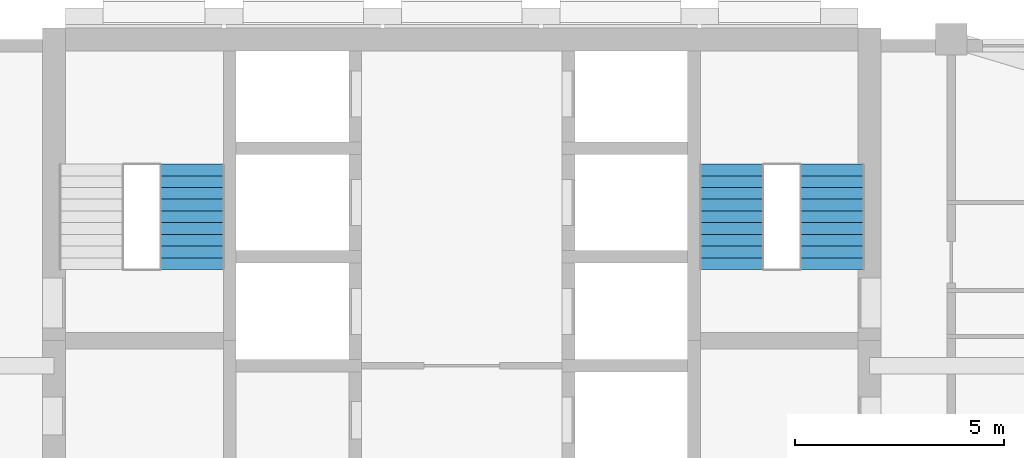
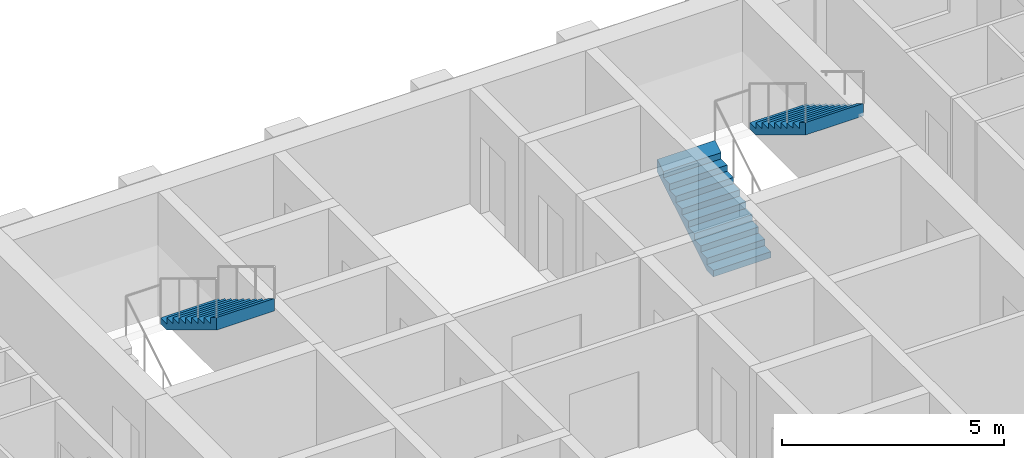
# One storey, part 11 of 13: 3 stair flights, 2 elements without a shape of their own.
"""IFC4 building model written with IfcOpenShell, lengths in metres."""

from ifc_helpers import new_model, si_unit, direction, frame, origin, place, context, subcontext, project, spatial, triangles, material, type_object, element, aggregate, save


model = new_model("IFC4")

# Units and contexts
model_context = context("Model", 3, precision=1e-05, world=origin(), true_north=direction((0.0, 1.0)))
body_context = subcontext(model_context, "Body", "Model", "MODEL_VIEW")
ifc_project = project(units=[si_unit("LENGTHUNIT", "METRE"), si_unit("AREAUNIT", "SQUARE_METRE"), si_unit("VOLUMEUNIT", "CUBIC_METRE"), si_unit("PLANEANGLEUNIT", "RADIAN"), si_unit("MASSUNIT", "GRAM", prefix="KILO")], contexts=[model_context])

# Site, building, storey
site_placement = place(None, origin())
site = spatial("IfcSite", under=ifc_project, at=site_placement, CompositionType="ELEMENT")
building_placement = place(site_placement, origin())
building = spatial("IfcBuilding", under=site, at=building_placement, Name="Ludao Terraces", CompositionType="ELEMENT")
storey_placement = place(building_placement, frame((0.0, 0.0, 158.800048828125)))
storey = spatial("IfcBuildingStorey", under=building, at=storey_placement, Name="L43", CompositionType="ELEMENT", Elevation=158.800048828125)

# Stair, stair flight
ifc_material = material(Name="Concrete C40", Category="concrete")
stair_type = type_object("IfcStairType", Name="INT Stair", PredefinedType="HALF_TURN_STAIR", material=ifc_material)
stair_1_placement = place(storey_placement, origin())
stair_1 = element("IfcStair", 1, at=stair_1_placement, inside=storey, type_object=stair_type, Name="EXIT STAIR 1", PredefinedType="HALF_TURN_STAIR")
stair_flight_type = type_object("IfcStairFlightType", Name="INT Stair flight", PredefinedType="STRAIGHT", material=ifc_material)
stair_flight_1_placement = place(storey_placement, frame((78.550048828125, 81.52001953125, 1.699951171875), z_axis=(0.0, 0.0, 1.0), x_axis=(0.0, -1.0, 0.0)))
stair_flight_1 = element("IfcStairFlight", 2, at=stair_flight_1_placement, type_object=stair_flight_type, Name="ST1 flight 2", NumberOfRisers=10, NumberOfTreads=9, PredefinedType="STRAIGHT", RiserHeight=0.17, TreadLength=0.28, context=body_context, shape_type="Tessellation", body=[
    triangles([(0.0, -0.75, 0.0), (0.0, -0.5, 0.0), (0.0, -0.25, 0.0), (0.0, 0.0, 0.0), (0.0, 0.25, 0.0), (0.0, 0.5, 0.0), (0.0, 0.75, 0.0), (0.0, -0.75, 0.169921875), (0.0, -0.5, 0.169921875), (0.0, -0.25, 0.169921875), (0.0, 0.0, 0.169921875), (0.0, 0.25, 0.169921875), (0.0, 0.5, 0.169921875), (0.0, 0.75, 0.169921875), (0.280029296875, -0.75, 0.169921875), (0.280029296875, -0.5, 0.169921875), (0.280029296875, -0.25, 0.169921875), (0.280029296875, 0.0, 0.169921875), (0.280029296875, 0.25, 0.169921875), (0.280029296875, 0.5, 0.169921875), (0.280029296875, 0.75, 0.169921875), (0.280029296875, -0.75, 0.340087890625), (0.280029296875, -0.5, 0.340087890625), (0.280029296875, -0.25, 0.340087890625), (0.280029296875, 0.0, 0.340087890625), (0.280029296875, 0.25, 0.340087890625), (0.280029296875, 0.5, 0.340087890625), (0.280029296875, 0.75, 0.340087890625), (0.56005859375, -0.75, 0.340087890625), (0.56005859375, -0.5, 0.340087890625), (0.56005859375, -0.25, 0.340087890625), (0.56005859375, 0.0, 0.340087890625), (0.56005859375, 0.25, 0.340087890625), (0.56005859375, 0.5, 0.340087890625), (0.56005859375, 0.75, 0.340087890625), (0.56005859375, -0.75, 0.510009765625), (0.56005859375, -0.5, 0.510009765625), (0.56005859375, -0.25, 0.510009765625), (0.56005859375, 0.0, 0.510009765625), (0.56005859375, 0.25, 0.510009765625), (0.56005859375, 0.5, 0.510009765625), (0.56005859375, 0.75, 0.510009765625), (0.840087890625, -0.75, 0.510009765625), (0.840087890625, -0.5, 0.510009765625), (0.840087890625, -0.25, 0.510009765625), (0.840087890625, 0.0, 0.510009765625), (0.840087890625, 0.25, 0.510009765625), (0.840087890625, 0.5, 0.510009765625), (0.840087890625, 0.75, 0.510009765625), (0.840087890625, -0.75, 0.679931640625), (0.840087890625, -0.5, 0.679931640625), (0.840087890625, -0.25, 0.679931640625), (0.840087890625, 0.0, 0.679931640625), (0.840087890625, 0.25, 0.679931640625), (0.840087890625, 0.5, 0.679931640625), (0.840087890625, 0.75, 0.679931640625), (1.1201171875, -0.75, 0.679931640625), (1.1201171875, -0.5, 0.679931640625), (1.1201171875, -0.25, 0.679931640625), (1.1201171875, 0.0, 0.679931640625), (1.1201171875, 0.25, 0.679931640625), (1.1201171875, 0.5, 0.679931640625), (1.1201171875, 0.75, 0.679931640625), (1.1201171875, -0.75, 0.85009765625), (1.1201171875, -0.5, 0.85009765625), (1.1201171875, -0.25, 0.85009765625), (1.1201171875, 0.0, 0.85009765625), (1.1201171875, 0.25, 0.85009765625), (1.1201171875, 0.5, 0.85009765625), (1.1201171875, 0.75, 0.85009765625), (1.39990234375, -0.75, 0.85009765625), (1.39990234375, -0.5, 0.85009765625), (1.39990234375, -0.25, 0.85009765625), (1.39990234375, 0.0, 0.85009765625), (1.39990234375, 0.25, 0.85009765625), (1.39990234375, 0.5, 0.85009765625), (1.39990234375, 0.75, 0.85009765625), (1.39990234375, -0.75, 1.02001953125), (1.39990234375, -0.5, 1.02001953125), (1.39990234375, -0.25, 1.02001953125), (1.39990234375, 0.0, 1.02001953125), (1.39990234375, 0.25, 1.02001953125), (1.39990234375, 0.5, 1.02001953125), (1.39990234375, 0.75, 1.02001953125), (1.679931640625, -0.75, 1.02001953125), (1.679931640625, -0.5, 1.02001953125), (1.679931640625, -0.25, 1.02001953125), (1.679931640625, 0.0, 1.02001953125), (1.679931640625, 0.25, 1.02001953125), (1.679931640625, 0.5, 1.02001953125), (1.679931640625, 0.75, 1.02001953125), (1.679931640625, -0.75, 1.18994140625), (1.679931640625, -0.5, 1.18994140625), (1.679931640625, -0.25, 1.18994140625), (1.679931640625, 0.0, 1.18994140625), (1.679931640625, 0.25, 1.18994140625), (1.679931640625, 0.5, 1.18994140625), (1.679931640625, 0.75, 1.18994140625), (1.9599609375, -0.75, 1.18994140625), (1.9599609375, -0.5, 1.18994140625), (1.9599609375, -0.25, 1.18994140625), (1.9599609375, 0.0, 1.18994140625), (1.9599609375, 0.25, 1.18994140625), (1.9599609375, 0.5, 1.18994140625), (1.9599609375, 0.75, 1.18994140625), (1.9599609375, -0.75, 1.360107421875), (1.9599609375, -0.5, 1.360107421875), (1.9599609375, -0.25, 1.360107421875), (1.9599609375, 0.0, 1.360107421875), (1.9599609375, 0.25, 1.360107421875), (1.9599609375, 0.5, 1.360107421875), (1.9599609375, 0.75, 1.360107421875), (2.239990234375, -0.75, 1.360107421875), (2.239990234375, -0.5, 1.360107421875), (2.239990234375, -0.25, 1.360107421875), (2.239990234375, 0.0, 1.360107421875), (2.239990234375, 0.25, 1.360107421875), (2.239990234375, 0.5, 1.360107421875), (2.239990234375, 0.75, 1.360107421875), (2.239990234375, -0.75, 1.530029296875), (2.239990234375, -0.5, 1.530029296875), (2.239990234375, -0.25, 1.530029296875), (2.239990234375, 0.0, 1.530029296875), (2.239990234375, 0.25, 1.530029296875), (2.239990234375, 0.5, 1.530029296875), (2.239990234375, 0.75, 1.530029296875), (2.52001953125, -0.75, 1.699951171875), (2.52001953125, -0.5, 1.699951171875), (2.52001953125, -0.25, 1.699951171875), (2.52001953125, 0.0, 1.699951171875), (2.52001953125, 0.25, 1.699951171875), (2.52001953125, 0.5, 1.699951171875), (2.52001953125, 0.75, 1.699951171875), (2.52001953125, -0.75, 1.354736328125), (2.52001953125, -0.5, 1.354736328125), (2.52001953125, -0.25, 1.354736328125), (2.52001953125, 0.0, 1.354736328125), (2.52001953125, 0.25, 1.354736328125), (2.52001953125, 0.5, 1.354736328125), (2.52001953125, 0.75, 1.354736328125), (0.288818359375, -0.75, 0.0), (0.288818359375, -0.5, 0.0), (0.288818359375, -0.25, 0.0), (0.288818359375, 0.0, 0.0), (0.288818359375, 0.25, 0.0), (0.288818359375, 0.5, 0.0), (0.288818359375, 0.75, 0.0)], [[1, 141, 134], [7, 140, 147], [134, 127, 120], [140, 126, 133], [134, 120, 113], [140, 119, 126], [134, 113, 106], [140, 112, 119], [134, 106, 99], [140, 105, 112], [99, 92, 85], [105, 91, 98], [134, 99, 85], [140, 91, 105], [85, 78, 71], [91, 77, 84], [134, 85, 71], [140, 77, 91], [71, 64, 57], [77, 63, 70], [134, 71, 57], [140, 63, 77], [57, 50, 43], [63, 49, 56], [134, 57, 43], [140, 49, 63], [43, 36, 29], [49, 35, 42], [134, 43, 29], [140, 35, 49], [29, 22, 15], [35, 21, 28], [134, 29, 15], [140, 21, 35], [1, 134, 15], [7, 21, 140], [15, 8, 1], [21, 7, 14], [1, 9, 2], [1, 8, 9], [2, 10, 3], [2, 9, 10], [3, 11, 4], [3, 10, 11], [4, 12, 5], [4, 11, 12], [5, 13, 6], [5, 12, 13], [6, 14, 7], [6, 13, 14], [8, 16, 9], [8, 15, 16], [9, 17, 10], [9, 16, 17], [10, 18, 11], [10, 17, 18], [11, 19, 12], [11, 18, 19], [12, 20, 13], [12, 19, 20], [13, 21, 14], [13, 20, 21], [15, 23, 16], [15, 22, 23], [16, 24, 17], [16, 23, 24], [17, 25, 18], [17, 24, 25], [18, 26, 19], [18, 25, 26], [19, 27, 20], [19, 26, 27], [20, 28, 21], [20, 27, 28], [22, 30, 23], [22, 29, 30], [23, 31, 24], [23, 30, 31], [24, 32, 25], [24, 31, 32], [25, 33, 26], [25, 32, 33], [26, 34, 27], [26, 33, 34], [27, 35, 28], [27, 34, 35], [29, 37, 30], [29, 36, 37], [30, 38, 31], [30, 37, 38], [31, 39, 32], [31, 38, 39], [32, 40, 33], [32, 39, 40], [33, 41, 34], [33, 40, 41], [34, 42, 35], [34, 41, 42], [36, 44, 37], [36, 43, 44], [37, 45, 38], [37, 44, 45], [38, 46, 39], [38, 45, 46], [39, 47, 40], [39, 46, 47], [40, 48, 41], [40, 47, 48], [41, 49, 42], [41, 48, 49], [43, 51, 44], [43, 50, 51], [44, 52, 45], [44, 51, 52], [45, 53, 46], [45, 52, 53], [46, 54, 47], [46, 53, 54], [47, 55, 48], [47, 54, 55], [48, 56, 49], [48, 55, 56], [50, 58, 51], [50, 57, 58], [51, 59, 52], [51, 58, 59], [52, 60, 53], [52, 59, 60], [53, 61, 54], [53, 60, 61], [54, 62, 55], [54, 61, 62], [55, 63, 56], [55, 62, 63], [57, 65, 58], [57, 64, 65], [58, 66, 59], [58, 65, 66], [59, 67, 60], [59, 66, 67], [60, 68, 61], [60, 67, 68], [61, 69, 62], [61, 68, 69], [62, 70, 63], [62, 69, 70], [64, 72, 65], [64, 71, 72], [65, 73, 66], [65, 72, 73], [66, 74, 67], [66, 73, 74], [67, 75, 68], [67, 74, 75], [68, 76, 69], [68, 75, 76], [69, 77, 70], [69, 76, 77], [71, 79, 72], [71, 78, 79], [72, 80, 73], [72, 79, 80], [73, 81, 74], [73, 80, 81], [74, 82, 75], [74, 81, 82], [75, 83, 76], [75, 82, 83], [76, 84, 77], [76, 83, 84], [78, 86, 79], [78, 85, 86], [79, 87, 80], [79, 86, 87], [80, 88, 81], [80, 87, 88], [81, 89, 82], [81, 88, 89], [82, 90, 83], [82, 89, 90], [83, 91, 84], [83, 90, 91], [85, 93, 86], [85, 92, 93], [86, 94, 87], [86, 93, 94], [87, 95, 88], [87, 94, 95], [88, 96, 89], [88, 95, 96], [89, 97, 90], [89, 96, 97], [90, 98, 91], [90, 97, 98], [92, 100, 93], [92, 99, 100], [93, 101, 94], [93, 100, 101], [94, 102, 95], [94, 101, 102], [95, 103, 96], [95, 102, 103], [96, 104, 97], [96, 103, 104], [97, 105, 98], [97, 104, 105], [99, 107, 100], [99, 106, 107], [100, 108, 101], [100, 107, 108], [101, 109, 102], [101, 108, 109], [102, 110, 103], [102, 109, 110], [103, 111, 104], [103, 110, 111], [104, 112, 105], [104, 111, 112], [106, 114, 107], [106, 113, 114], [107, 115, 108], [107, 114, 115], [108, 116, 109], [108, 115, 116], [109, 117, 110], [109, 116, 117], [110, 118, 111], [110, 117, 118], [111, 119, 112], [111, 118, 119], [113, 121, 114], [113, 120, 121], [114, 122, 115], [114, 121, 122], [115, 123, 116], [115, 122, 123], [116, 124, 117], [116, 123, 124], [117, 125, 118], [117, 124, 125], [118, 126, 119], [118, 125, 126], [120, 128, 121], [120, 127, 128], [121, 129, 122], [121, 128, 129], [122, 130, 123], [122, 129, 130], [123, 131, 124], [123, 130, 131], [124, 132, 125], [124, 131, 132], [125, 133, 126], [125, 132, 133], [127, 135, 128], [127, 134, 135], [128, 136, 129], [128, 135, 136], [129, 137, 130], [129, 136, 137], [130, 138, 131], [130, 137, 138], [131, 139, 132], [131, 138, 139], [132, 140, 133], [132, 139, 140], [134, 142, 135], [134, 141, 142], [135, 143, 136], [135, 142, 143], [136, 144, 137], [136, 143, 144], [137, 145, 138], [137, 144, 145], [138, 146, 139], [138, 145, 146], [139, 147, 140], [139, 146, 147], [141, 2, 142], [141, 1, 2], [142, 3, 143], [142, 2, 3], [143, 4, 144], [143, 3, 4], [144, 5, 145], [144, 4, 5], [145, 6, 146], [145, 5, 6], [146, 7, 147], [146, 6, 7]], closed=True),
])
aggregate(stair_1, [stair_flight_1])

# Stair, stair flights
stair_2_placement = place(storey_placement, origin())
stair_2 = element("IfcStair", 3, at=stair_2_placement, inside=storey, type_object=stair_type, Name="EXIT STAIR 2", PredefinedType="HALF_TURN_STAIR")
stair_flight_2_placement = place(storey_placement, frame((91.449951171875, 79.0, 0.0), z_axis=(0.0, 0.0, 1.0), x_axis=(0.0, 1.0, 0.0)))
stair_flight_2 = element("IfcStairFlight", 4, at=stair_flight_2_placement, type_object=stair_flight_type, Name="ST2 flight 1", NumberOfRisers=10, NumberOfTreads=9, PredefinedType="STRAIGHT", RiserHeight=0.17, TreadLength=0.28, context=body_context, shape_type="Tessellation", body=[
    triangles([(0.0, -0.75, 0.0), (0.0, -0.5, 0.0), (0.0, -0.25, 0.0), (0.0, 0.0, 0.0), (0.0, 0.25, 0.0), (0.0, 0.5, 0.0), (0.0, 0.75, 0.0), (0.0, -0.75, 0.169921875), (0.0, -0.5, 0.169921875), (0.0, -0.25, 0.169921875), (0.0, 0.0, 0.169921875), (0.0, 0.25, 0.169921875), (0.0, 0.5, 0.169921875), (0.0, 0.75, 0.169921875), (0.280029296875, -0.75, 0.169921875), (0.280029296875, -0.5, 0.169921875), (0.280029296875, -0.25, 0.169921875), (0.280029296875, 0.0, 0.169921875), (0.280029296875, 0.25, 0.169921875), (0.280029296875, 0.5, 0.169921875), (0.280029296875, 0.75, 0.169921875), (0.280029296875, -0.75, 0.340087890625), (0.280029296875, -0.5, 0.340087890625), (0.280029296875, -0.25, 0.340087890625), (0.280029296875, 0.0, 0.340087890625), (0.280029296875, 0.25, 0.340087890625), (0.280029296875, 0.5, 0.340087890625), (0.280029296875, 0.75, 0.340087890625), (0.56005859375, -0.75, 0.340087890625), (0.56005859375, -0.5, 0.340087890625), (0.56005859375, -0.25, 0.340087890625), (0.56005859375, 0.0, 0.340087890625), (0.56005859375, 0.25, 0.340087890625), (0.56005859375, 0.5, 0.340087890625), (0.56005859375, 0.75, 0.340087890625), (0.56005859375, -0.75, 0.510009765625), (0.56005859375, -0.5, 0.510009765625), (0.56005859375, -0.25, 0.510009765625), (0.56005859375, 0.0, 0.510009765625), (0.56005859375, 0.25, 0.510009765625), (0.56005859375, 0.5, 0.510009765625), (0.56005859375, 0.75, 0.510009765625), (0.840087890625, -0.75, 0.510009765625), (0.840087890625, -0.5, 0.510009765625), (0.840087890625, -0.25, 0.510009765625), (0.840087890625, 0.0, 0.510009765625), (0.840087890625, 0.25, 0.510009765625), (0.840087890625, 0.5, 0.510009765625), (0.840087890625, 0.75, 0.510009765625), (0.840087890625, -0.75, 0.679931640625), (0.840087890625, -0.5, 0.679931640625), (0.840087890625, -0.25, 0.679931640625), (0.840087890625, 0.0, 0.679931640625), (0.840087890625, 0.25, 0.679931640625), (0.840087890625, 0.5, 0.679931640625), (0.840087890625, 0.75, 0.679931640625), (1.1201171875, -0.75, 0.679931640625), (1.1201171875, -0.5, 0.679931640625), (1.1201171875, -0.25, 0.679931640625), (1.1201171875, 0.0, 0.679931640625), (1.1201171875, 0.25, 0.679931640625), (1.1201171875, 0.5, 0.679931640625), (1.1201171875, 0.75, 0.679931640625), (1.1201171875, -0.75, 0.85009765625), (1.1201171875, -0.5, 0.85009765625), (1.1201171875, -0.25, 0.85009765625), (1.1201171875, 0.0, 0.85009765625), (1.1201171875, 0.25, 0.85009765625), (1.1201171875, 0.5, 0.85009765625), (1.1201171875, 0.75, 0.85009765625), (1.39990234375, -0.75, 0.85009765625), (1.39990234375, -0.5, 0.85009765625), (1.39990234375, -0.25, 0.85009765625), (1.39990234375, 0.0, 0.85009765625), (1.39990234375, 0.25, 0.85009765625), (1.39990234375, 0.5, 0.85009765625), (1.39990234375, 0.75, 0.85009765625), (1.39990234375, -0.75, 1.02001953125), (1.39990234375, -0.5, 1.02001953125), (1.39990234375, -0.25, 1.02001953125), (1.39990234375, 0.0, 1.02001953125), (1.39990234375, 0.25, 1.02001953125), (1.39990234375, 0.5, 1.02001953125), (1.39990234375, 0.75, 1.02001953125), (1.679931640625, -0.75, 1.02001953125), (1.679931640625, -0.5, 1.02001953125), (1.679931640625, -0.25, 1.02001953125), (1.679931640625, 0.0, 1.02001953125), (1.679931640625, 0.25, 1.02001953125), (1.679931640625, 0.5, 1.02001953125), (1.679931640625, 0.75, 1.02001953125), (1.679931640625, -0.75, 1.18994140625), (1.679931640625, -0.5, 1.18994140625), (1.679931640625, -0.25, 1.18994140625), (1.679931640625, 0.0, 1.18994140625), (1.679931640625, 0.25, 1.18994140625), (1.679931640625, 0.5, 1.18994140625), (1.679931640625, 0.75, 1.18994140625), (1.9599609375, -0.75, 1.18994140625), (1.9599609375, -0.5, 1.18994140625), (1.9599609375, -0.25, 1.18994140625), (1.9599609375, 0.0, 1.18994140625), (1.9599609375, 0.25, 1.18994140625), (1.9599609375, 0.5, 1.18994140625), (1.9599609375, 0.75, 1.18994140625), (1.9599609375, -0.75, 1.360107421875), (1.9599609375, -0.5, 1.360107421875), (1.9599609375, -0.25, 1.360107421875), (1.9599609375, 0.0, 1.360107421875), (1.9599609375, 0.25, 1.360107421875), (1.9599609375, 0.5, 1.360107421875), (1.9599609375, 0.75, 1.360107421875), (2.239990234375, -0.75, 1.360107421875), (2.239990234375, -0.5, 1.360107421875), (2.239990234375, -0.25, 1.360107421875), (2.239990234375, 0.0, 1.360107421875), (2.239990234375, 0.25, 1.360107421875), (2.239990234375, 0.5, 1.360107421875), (2.239990234375, 0.75, 1.360107421875), (2.239990234375, -0.75, 1.530029296875), (2.239990234375, -0.5, 1.530029296875), (2.239990234375, -0.25, 1.530029296875), (2.239990234375, 0.0, 1.530029296875), (2.239990234375, 0.25, 1.530029296875), (2.239990234375, 0.5, 1.530029296875), (2.239990234375, 0.75, 1.530029296875), (2.52001953125, -0.75, 1.699951171875), (2.52001953125, -0.5, 1.699951171875), (2.52001953125, -0.25, 1.699951171875), (2.52001953125, 0.0, 1.699951171875), (2.52001953125, 0.25, 1.699951171875), (2.52001953125, 0.5, 1.699951171875), (2.52001953125, 0.75, 1.699951171875), (2.52001953125, -0.75, 1.354736328125), (2.52001953125, -0.5, 1.354736328125), (2.52001953125, -0.25, 1.354736328125), (2.52001953125, 0.0, 1.354736328125), (2.52001953125, 0.25, 1.354736328125), (2.52001953125, 0.5, 1.354736328125), (2.52001953125, 0.75, 1.354736328125), (0.288818359375, -0.75, 0.0), (0.288818359375, -0.5, 0.0), (0.288818359375, -0.25, 0.0), (0.288818359375, 0.0, 0.0), (0.288818359375, 0.25, 0.0), (0.288818359375, 0.5, 0.0), (0.288818359375, 0.75, 0.0)], [[1, 141, 134], [7, 140, 147], [134, 127, 120], [140, 126, 133], [134, 120, 113], [140, 119, 126], [134, 113, 106], [140, 112, 119], [134, 106, 99], [140, 105, 112], [99, 92, 85], [105, 91, 98], [134, 99, 85], [140, 91, 105], [85, 78, 71], [91, 77, 84], [134, 85, 71], [140, 77, 91], [71, 64, 57], [77, 63, 70], [134, 71, 57], [140, 63, 77], [57, 50, 43], [63, 49, 56], [134, 57, 43], [140, 49, 63], [43, 36, 29], [49, 35, 42], [134, 43, 29], [140, 35, 49], [29, 22, 15], [35, 21, 28], [134, 29, 15], [140, 21, 35], [1, 134, 15], [7, 21, 140], [15, 8, 1], [21, 7, 14], [1, 9, 2], [1, 8, 9], [2, 10, 3], [2, 9, 10], [3, 11, 4], [3, 10, 11], [4, 12, 5], [4, 11, 12], [5, 13, 6], [5, 12, 13], [6, 14, 7], [6, 13, 14], [8, 16, 9], [8, 15, 16], [9, 17, 10], [9, 16, 17], [10, 18, 11], [10, 17, 18], [11, 19, 12], [11, 18, 19], [12, 20, 13], [12, 19, 20], [13, 21, 14], [13, 20, 21], [15, 23, 16], [15, 22, 23], [16, 24, 17], [16, 23, 24], [17, 25, 18], [17, 24, 25], [18, 26, 19], [18, 25, 26], [19, 27, 20], [19, 26, 27], [20, 28, 21], [20, 27, 28], [22, 30, 23], [22, 29, 30], [23, 31, 24], [23, 30, 31], [24, 32, 25], [24, 31, 32], [25, 33, 26], [25, 32, 33], [26, 34, 27], [26, 33, 34], [27, 35, 28], [27, 34, 35], [29, 37, 30], [29, 36, 37], [30, 38, 31], [30, 37, 38], [31, 39, 32], [31, 38, 39], [32, 40, 33], [32, 39, 40], [33, 41, 34], [33, 40, 41], [34, 42, 35], [34, 41, 42], [36, 44, 37], [36, 43, 44], [37, 45, 38], [37, 44, 45], [38, 46, 39], [38, 45, 46], [39, 47, 40], [39, 46, 47], [40, 48, 41], [40, 47, 48], [41, 49, 42], [41, 48, 49], [43, 51, 44], [43, 50, 51], [44, 52, 45], [44, 51, 52], [45, 53, 46], [45, 52, 53], [46, 54, 47], [46, 53, 54], [47, 55, 48], [47, 54, 55], [48, 56, 49], [48, 55, 56], [50, 58, 51], [50, 57, 58], [51, 59, 52], [51, 58, 59], [52, 60, 53], [52, 59, 60], [53, 61, 54], [53, 60, 61], [54, 62, 55], [54, 61, 62], [55, 63, 56], [55, 62, 63], [57, 65, 58], [57, 64, 65], [58, 66, 59], [58, 65, 66], [59, 67, 60], [59, 66, 67], [60, 68, 61], [60, 67, 68], [61, 69, 62], [61, 68, 69], [62, 70, 63], [62, 69, 70], [64, 72, 65], [64, 71, 72], [65, 73, 66], [65, 72, 73], [66, 74, 67], [66, 73, 74], [67, 75, 68], [67, 74, 75], [68, 76, 69], [68, 75, 76], [69, 77, 70], [69, 76, 77], [71, 79, 72], [71, 78, 79], [72, 80, 73], [72, 79, 80], [73, 81, 74], [73, 80, 81], [74, 82, 75], [74, 81, 82], [75, 83, 76], [75, 82, 83], [76, 84, 77], [76, 83, 84], [78, 86, 79], [78, 85, 86], [79, 87, 80], [79, 86, 87], [80, 88, 81], [80, 87, 88], [81, 89, 82], [81, 88, 89], [82, 90, 83], [82, 89, 90], [83, 91, 84], [83, 90, 91], [85, 93, 86], [85, 92, 93], [86, 94, 87], [86, 93, 94], [87, 95, 88], [87, 94, 95], [88, 96, 89], [88, 95, 96], [89, 97, 90], [89, 96, 97], [90, 98, 91], [90, 97, 98], [92, 100, 93], [92, 99, 100], [93, 101, 94], [93, 100, 101], [94, 102, 95], [94, 101, 102], [95, 103, 96], [95, 102, 103], [96, 104, 97], [96, 103, 104], [97, 105, 98], [97, 104, 105], [99, 107, 100], [99, 106, 107], [100, 108, 101], [100, 107, 108], [101, 109, 102], [101, 108, 109], [102, 110, 103], [102, 109, 110], [103, 111, 104], [103, 110, 111], [104, 112, 105], [104, 111, 112], [106, 114, 107], [106, 113, 114], [107, 115, 108], [107, 114, 115], [108, 116, 109], [108, 115, 116], [109, 117, 110], [109, 116, 117], [110, 118, 111], [110, 117, 118], [111, 119, 112], [111, 118, 119], [113, 121, 114], [113, 120, 121], [114, 122, 115], [114, 121, 122], [115, 123, 116], [115, 122, 123], [116, 124, 117], [116, 123, 124], [117, 125, 118], [117, 124, 125], [118, 126, 119], [118, 125, 126], [120, 128, 121], [120, 127, 128], [121, 129, 122], [121, 128, 129], [122, 130, 123], [122, 129, 130], [123, 131, 124], [123, 130, 131], [124, 132, 125], [124, 131, 132], [125, 133, 126], [125, 132, 133], [127, 135, 128], [127, 134, 135], [128, 136, 129], [128, 135, 136], [129, 137, 130], [129, 136, 137], [130, 138, 131], [130, 137, 138], [131, 139, 132], [131, 138, 139], [132, 140, 133], [132, 139, 140], [134, 142, 135], [134, 141, 142], [135, 143, 136], [135, 142, 143], [136, 144, 137], [136, 143, 144], [137, 145, 138], [137, 144, 145], [138, 146, 139], [138, 145, 146], [139, 147, 140], [139, 146, 147], [141, 2, 142], [141, 1, 2], [142, 3, 143], [142, 2, 3], [143, 4, 144], [143, 3, 4], [144, 5, 145], [144, 4, 5], [145, 6, 146], [145, 5, 6], [146, 7, 147], [146, 6, 7]], closed=True),
])
stair_flight_3_placement = place(storey_placement, frame((93.85009765625, 81.52001953125, 1.699951171875), z_axis=(0.0, 0.0, 1.0), x_axis=(0.0, -1.0, 0.0)))
stair_flight_3 = element("IfcStairFlight", 5, at=stair_flight_3_placement, type_object=stair_flight_type, Name="ST2 flight 2", NumberOfRisers=10, NumberOfTreads=9, PredefinedType="STRAIGHT", RiserHeight=0.17, TreadLength=0.28, context=body_context, shape_type="Tessellation", body=[
    triangles([(0.0, -0.75, 0.0), (0.0, -0.5, 0.0), (0.0, -0.25, 0.0), (0.0, 0.0, 0.0), (0.0, 0.25, 0.0), (0.0, 0.5, 0.0), (0.0, 0.75, 0.0), (0.0, -0.75, 0.169921875), (0.0, -0.5, 0.169921875), (0.0, -0.25, 0.169921875), (0.0, 0.0, 0.169921875), (0.0, 0.25, 0.169921875), (0.0, 0.5, 0.169921875), (0.0, 0.75, 0.169921875), (0.280029296875, -0.75, 0.169921875), (0.280029296875, -0.5, 0.169921875), (0.280029296875, -0.25, 0.169921875), (0.280029296875, 0.0, 0.169921875), (0.280029296875, 0.25, 0.169921875), (0.280029296875, 0.5, 0.169921875), (0.280029296875, 0.75, 0.169921875), (0.280029296875, -0.75, 0.340087890625), (0.280029296875, -0.5, 0.340087890625), (0.280029296875, -0.25, 0.340087890625), (0.280029296875, 0.0, 0.340087890625), (0.280029296875, 0.25, 0.340087890625), (0.280029296875, 0.5, 0.340087890625), (0.280029296875, 0.75, 0.340087890625), (0.56005859375, -0.75, 0.340087890625), (0.56005859375, -0.5, 0.340087890625), (0.56005859375, -0.25, 0.340087890625), (0.56005859375, 0.0, 0.340087890625), (0.56005859375, 0.25, 0.340087890625), (0.56005859375, 0.5, 0.340087890625), (0.56005859375, 0.75, 0.340087890625), (0.56005859375, -0.75, 0.510009765625), (0.56005859375, -0.5, 0.510009765625), (0.56005859375, -0.25, 0.510009765625), (0.56005859375, 0.0, 0.510009765625), (0.56005859375, 0.25, 0.510009765625), (0.56005859375, 0.5, 0.510009765625), (0.56005859375, 0.75, 0.510009765625), (0.840087890625, -0.75, 0.510009765625), (0.840087890625, -0.5, 0.510009765625), (0.840087890625, -0.25, 0.510009765625), (0.840087890625, 0.0, 0.510009765625), (0.840087890625, 0.25, 0.510009765625), (0.840087890625, 0.5, 0.510009765625), (0.840087890625, 0.75, 0.510009765625), (0.840087890625, -0.75, 0.679931640625), (0.840087890625, -0.5, 0.679931640625), (0.840087890625, -0.25, 0.679931640625), (0.840087890625, 0.0, 0.679931640625), (0.840087890625, 0.25, 0.679931640625), (0.840087890625, 0.5, 0.679931640625), (0.840087890625, 0.75, 0.679931640625), (1.1201171875, -0.75, 0.679931640625), (1.1201171875, -0.5, 0.679931640625), (1.1201171875, -0.25, 0.679931640625), (1.1201171875, 0.0, 0.679931640625), (1.1201171875, 0.25, 0.679931640625), (1.1201171875, 0.5, 0.679931640625), (1.1201171875, 0.75, 0.679931640625), (1.1201171875, -0.75, 0.85009765625), (1.1201171875, -0.5, 0.85009765625), (1.1201171875, -0.25, 0.85009765625), (1.1201171875, 0.0, 0.85009765625), (1.1201171875, 0.25, 0.85009765625), (1.1201171875, 0.5, 0.85009765625), (1.1201171875, 0.75, 0.85009765625), (1.39990234375, -0.75, 0.85009765625), (1.39990234375, -0.5, 0.85009765625), (1.39990234375, -0.25, 0.85009765625), (1.39990234375, 0.0, 0.85009765625), (1.39990234375, 0.25, 0.85009765625), (1.39990234375, 0.5, 0.85009765625), (1.39990234375, 0.75, 0.85009765625), (1.39990234375, -0.75, 1.02001953125), (1.39990234375, -0.5, 1.02001953125), (1.39990234375, -0.25, 1.02001953125), (1.39990234375, 0.0, 1.02001953125), (1.39990234375, 0.25, 1.02001953125), (1.39990234375, 0.5, 1.02001953125), (1.39990234375, 0.75, 1.02001953125), (1.679931640625, -0.75, 1.02001953125), (1.679931640625, -0.5, 1.02001953125), (1.679931640625, -0.25, 1.02001953125), (1.679931640625, 0.0, 1.02001953125), (1.679931640625, 0.25, 1.02001953125), (1.679931640625, 0.5, 1.02001953125), (1.679931640625, 0.75, 1.02001953125), (1.679931640625, -0.75, 1.18994140625), (1.679931640625, -0.5, 1.18994140625), (1.679931640625, -0.25, 1.18994140625), (1.679931640625, 0.0, 1.18994140625), (1.679931640625, 0.25, 1.18994140625), (1.679931640625, 0.5, 1.18994140625), (1.679931640625, 0.75, 1.18994140625), (1.9599609375, -0.75, 1.18994140625), (1.9599609375, -0.5, 1.18994140625), (1.9599609375, -0.25, 1.18994140625), (1.9599609375, 0.0, 1.18994140625), (1.9599609375, 0.25, 1.18994140625), (1.9599609375, 0.5, 1.18994140625), (1.9599609375, 0.75, 1.18994140625), (1.9599609375, -0.75, 1.360107421875), (1.9599609375, -0.5, 1.360107421875), (1.9599609375, -0.25, 1.360107421875), (1.9599609375, 0.0, 1.360107421875), (1.9599609375, 0.25, 1.360107421875), (1.9599609375, 0.5, 1.360107421875), (1.9599609375, 0.75, 1.360107421875), (2.239990234375, -0.75, 1.360107421875), (2.239990234375, -0.5, 1.360107421875), (2.239990234375, -0.25, 1.360107421875), (2.239990234375, 0.0, 1.360107421875), (2.239990234375, 0.25, 1.360107421875), (2.239990234375, 0.5, 1.360107421875), (2.239990234375, 0.75, 1.360107421875), (2.239990234375, -0.75, 1.530029296875), (2.239990234375, -0.5, 1.530029296875), (2.239990234375, -0.25, 1.530029296875), (2.239990234375, 0.0, 1.530029296875), (2.239990234375, 0.25, 1.530029296875), (2.239990234375, 0.5, 1.530029296875), (2.239990234375, 0.75, 1.530029296875), (2.52001953125, -0.75, 1.699951171875), (2.52001953125, -0.5, 1.699951171875), (2.52001953125, -0.25, 1.699951171875), (2.52001953125, 0.0, 1.699951171875), (2.52001953125, 0.25, 1.699951171875), (2.52001953125, 0.5, 1.699951171875), (2.52001953125, 0.75, 1.699951171875), (2.52001953125, -0.75, 1.354736328125), (2.52001953125, -0.5, 1.354736328125), (2.52001953125, -0.25, 1.354736328125), (2.52001953125, 0.0, 1.354736328125), (2.52001953125, 0.25, 1.354736328125), (2.52001953125, 0.5, 1.354736328125), (2.52001953125, 0.75, 1.354736328125), (0.288818359375, -0.75, 0.0), (0.288818359375, -0.5, 0.0), (0.288818359375, -0.25, 0.0), (0.288818359375, 0.0, 0.0), (0.288818359375, 0.25, 0.0), (0.288818359375, 0.5, 0.0), (0.288818359375, 0.75, 0.0)], [[1, 141, 134], [7, 140, 147], [134, 127, 120], [140, 126, 133], [134, 120, 113], [140, 119, 126], [134, 113, 106], [140, 112, 119], [134, 106, 99], [140, 105, 112], [99, 92, 85], [105, 91, 98], [134, 99, 85], [140, 91, 105], [85, 78, 71], [91, 77, 84], [134, 85, 71], [140, 77, 91], [71, 64, 57], [77, 63, 70], [134, 71, 57], [140, 63, 77], [57, 50, 43], [63, 49, 56], [134, 57, 43], [140, 49, 63], [43, 36, 29], [49, 35, 42], [134, 43, 29], [140, 35, 49], [29, 22, 15], [35, 21, 28], [134, 29, 15], [140, 21, 35], [1, 134, 15], [7, 21, 140], [15, 8, 1], [21, 7, 14], [1, 9, 2], [1, 8, 9], [2, 10, 3], [2, 9, 10], [3, 11, 4], [3, 10, 11], [4, 12, 5], [4, 11, 12], [5, 13, 6], [5, 12, 13], [6, 14, 7], [6, 13, 14], [8, 16, 9], [8, 15, 16], [9, 17, 10], [9, 16, 17], [10, 18, 11], [10, 17, 18], [11, 19, 12], [11, 18, 19], [12, 20, 13], [12, 19, 20], [13, 21, 14], [13, 20, 21], [15, 23, 16], [15, 22, 23], [16, 24, 17], [16, 23, 24], [17, 25, 18], [17, 24, 25], [18, 26, 19], [18, 25, 26], [19, 27, 20], [19, 26, 27], [20, 28, 21], [20, 27, 28], [22, 30, 23], [22, 29, 30], [23, 31, 24], [23, 30, 31], [24, 32, 25], [24, 31, 32], [25, 33, 26], [25, 32, 33], [26, 34, 27], [26, 33, 34], [27, 35, 28], [27, 34, 35], [29, 37, 30], [29, 36, 37], [30, 38, 31], [30, 37, 38], [31, 39, 32], [31, 38, 39], [32, 40, 33], [32, 39, 40], [33, 41, 34], [33, 40, 41], [34, 42, 35], [34, 41, 42], [36, 44, 37], [36, 43, 44], [37, 45, 38], [37, 44, 45], [38, 46, 39], [38, 45, 46], [39, 47, 40], [39, 46, 47], [40, 48, 41], [40, 47, 48], [41, 49, 42], [41, 48, 49], [43, 51, 44], [43, 50, 51], [44, 52, 45], [44, 51, 52], [45, 53, 46], [45, 52, 53], [46, 54, 47], [46, 53, 54], [47, 55, 48], [47, 54, 55], [48, 56, 49], [48, 55, 56], [50, 58, 51], [50, 57, 58], [51, 59, 52], [51, 58, 59], [52, 60, 53], [52, 59, 60], [53, 61, 54], [53, 60, 61], [54, 62, 55], [54, 61, 62], [55, 63, 56], [55, 62, 63], [57, 65, 58], [57, 64, 65], [58, 66, 59], [58, 65, 66], [59, 67, 60], [59, 66, 67], [60, 68, 61], [60, 67, 68], [61, 69, 62], [61, 68, 69], [62, 70, 63], [62, 69, 70], [64, 72, 65], [64, 71, 72], [65, 73, 66], [65, 72, 73], [66, 74, 67], [66, 73, 74], [67, 75, 68], [67, 74, 75], [68, 76, 69], [68, 75, 76], [69, 77, 70], [69, 76, 77], [71, 79, 72], [71, 78, 79], [72, 80, 73], [72, 79, 80], [73, 81, 74], [73, 80, 81], [74, 82, 75], [74, 81, 82], [75, 83, 76], [75, 82, 83], [76, 84, 77], [76, 83, 84], [78, 86, 79], [78, 85, 86], [79, 87, 80], [79, 86, 87], [80, 88, 81], [80, 87, 88], [81, 89, 82], [81, 88, 89], [82, 90, 83], [82, 89, 90], [83, 91, 84], [83, 90, 91], [85, 93, 86], [85, 92, 93], [86, 94, 87], [86, 93, 94], [87, 95, 88], [87, 94, 95], [88, 96, 89], [88, 95, 96], [89, 97, 90], [89, 96, 97], [90, 98, 91], [90, 97, 98], [92, 100, 93], [92, 99, 100], [93, 101, 94], [93, 100, 101], [94, 102, 95], [94, 101, 102], [95, 103, 96], [95, 102, 103], [96, 104, 97], [96, 103, 104], [97, 105, 98], [97, 104, 105], [99, 107, 100], [99, 106, 107], [100, 108, 101], [100, 107, 108], [101, 109, 102], [101, 108, 109], [102, 110, 103], [102, 109, 110], [103, 111, 104], [103, 110, 111], [104, 112, 105], [104, 111, 112], [106, 114, 107], [106, 113, 114], [107, 115, 108], [107, 114, 115], [108, 116, 109], [108, 115, 116], [109, 117, 110], [109, 116, 117], [110, 118, 111], [110, 117, 118], [111, 119, 112], [111, 118, 119], [113, 121, 114], [113, 120, 121], [114, 122, 115], [114, 121, 122], [115, 123, 116], [115, 122, 123], [116, 124, 117], [116, 123, 124], [117, 125, 118], [117, 124, 125], [118, 126, 119], [118, 125, 126], [120, 128, 121], [120, 127, 128], [121, 129, 122], [121, 128, 129], [122, 130, 123], [122, 129, 130], [123, 131, 124], [123, 130, 131], [124, 132, 125], [124, 131, 132], [125, 133, 126], [125, 132, 133], [127, 135, 128], [127, 134, 135], [128, 136, 129], [128, 135, 136], [129, 137, 130], [129, 136, 137], [130, 138, 131], [130, 137, 138], [131, 139, 132], [131, 138, 139], [132, 140, 133], [132, 139, 140], [134, 142, 135], [134, 141, 142], [135, 143, 136], [135, 142, 143], [136, 144, 137], [136, 143, 144], [137, 145, 138], [137, 144, 145], [138, 146, 139], [138, 145, 146], [139, 147, 140], [139, 146, 147], [141, 2, 142], [141, 1, 2], [142, 3, 143], [142, 2, 3], [143, 4, 144], [143, 3, 4], [144, 5, 145], [144, 4, 5], [145, 6, 146], [145, 5, 6], [146, 7, 147], [146, 6, 7]], closed=True),
])
aggregate(stair_2, [stair_flight_2, stair_flight_3])

save(model, "model.ifc")
